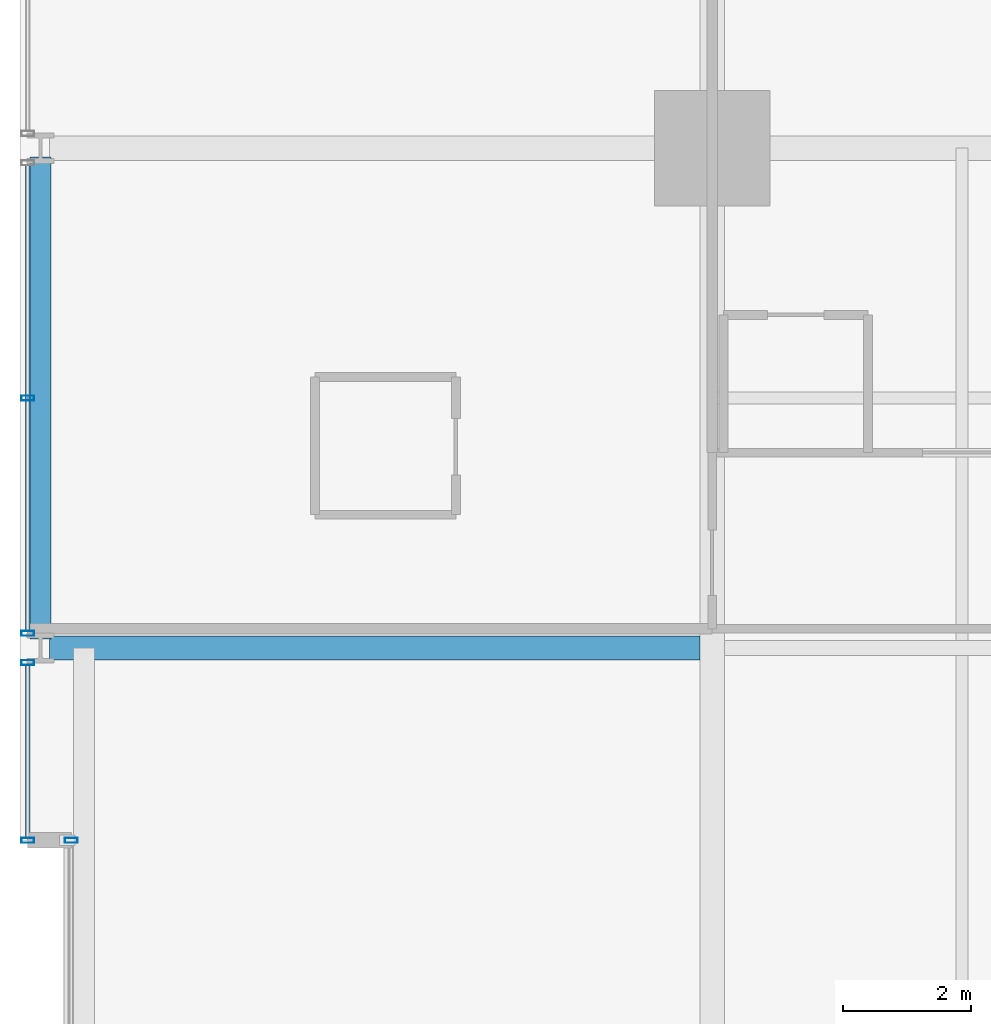
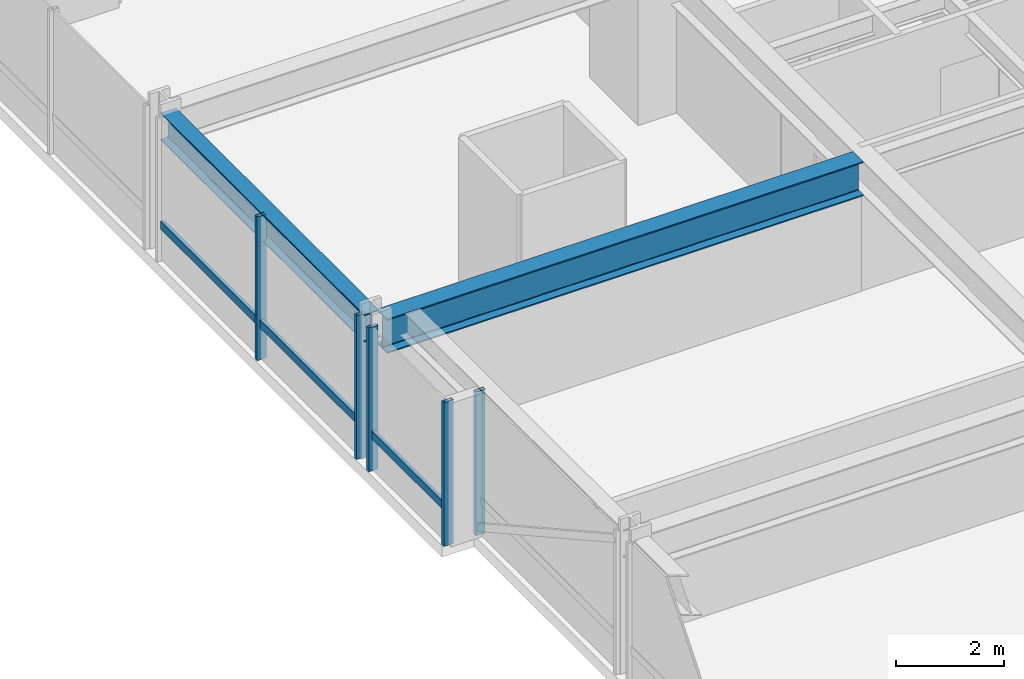
# One storey, part 17 of 38: 7 members, 2 beams, 3 elements without a shape of their own.
"""IFC4 building model written with IfcOpenShell, lengths in metres."""

from ifc_helpers import new_model, si_unit, direction, frame, origin, origin_2d, place, context, subcontext, project, spatial, hollow_rectangle, i_section, extrude, material, layer, layer_set, material_profile, profile_set, type_object, element, aggregate, save


model = new_model("IFC4")

# Units and contexts
model_context = context("Model", 3, precision=1e-05, world=origin(), true_north=direction((0.0, 1.0)))
body_context = subcontext(model_context, "Body", "Model", "MODEL_VIEW")
ifc_project = project(units=[si_unit("LENGTHUNIT", "METRE"), si_unit("AREAUNIT", "SQUARE_METRE"), si_unit("VOLUMEUNIT", "CUBIC_METRE"), si_unit("PLANEANGLEUNIT", "RADIAN"), si_unit("MASSUNIT", "GRAM", prefix="KILO")], contexts=[model_context])

# Site, building, storey
site_placement = place(None, origin())
site = spatial("IfcSite", under=ifc_project, at=site_placement, CompositionType="ELEMENT")
building_placement = place(site_placement, origin())
building = spatial("IfcBuilding", under=site, at=building_placement, Name="Drelvath Grand Hotel", CompositionType="ELEMENT")
storey_placement = place(building_placement, frame((0.0, 0.0, 64.699951171875)))
storey = spatial("IfcBuildingStorey", under=building, at=storey_placement, Name="L15", CompositionType="ELEMENT", Elevation=64.699951171875)

# Curtain wall, member
ifc_material_1 = material(Name="Warm Bronze Anodised Aluminium Frame", Category="aluminium")
ifc_layer = layer(ifc_material_1, 0.199951171875)
ifc_layer_set = layer_set([ifc_layer], Name="Warm Bronze Anodised Aluminium Frame")
curtain_wall_type = type_object("IfcCurtainWallType", Name="Stick Curtain Wall CW-02 Warm Bronze Low-Rise", PredefinedType="NOTDEFINED", material=ifc_layer_set)
curtain_wall_1_placement = place(storey_placement, origin())
curtain_wall_1 = element("IfcCurtainWall", 1, at=curtain_wall_1_placement, inside=storey, type_object=curtain_wall_type, Name="L15 CW-02 Curtain Wall CW02-L15-WN1", PredefinedType="NOTDEFINED")
ifc_material_profile_1 = material_profile(ifc_material_1, hollow_rectangle(XDim=0.074951171875, YDim=0.179931640625, WallThickness=0.0048828125, at=origin_2d()), Name="HSS180X75X5")
ifc_profile_set_1 = profile_set([ifc_material_profile_1], Name="Warm Bronze Anodised Aluminium Frame")
member_type_1 = type_object("IfcMemberType", Name="Curtain Wall Horizontal Transom CW-02 HSS180X75X5", PredefinedType="USERDEFINED", material=ifc_profile_set_1)
member_1_placement = place(storey_placement, frame((-26.8798828125, 32.43994140625, 0.81005859375), z_axis=(0.0, 1.0, 0.0), x_axis=(-1.0, 0.0, 0.0)))
member_1 = element("IfcMember", 2, at=member_1_placement, type_object=member_type_1, Name="CW02-L15-WN1 Sill Transom", ObjectType="TRANSOM", PredefinedType="USERDEFINED", context=body_context, shape_type="SweptSolid", body=[
    extrude(hollow_rectangle(XDim=0.074951171875, YDim=0.179931640625, WallThickness=0.0048828125, at=origin_2d()), origin(), (0.0, 0.0, 1.0), 2.69091796875),
])

curtain_wall_2_placement = place(storey_placement, origin())
curtain_wall_2 = element("IfcCurtainWall", 3, at=curtain_wall_2_placement, inside=storey, type_object=curtain_wall_type, Name="L15 CW-02 Curtain Wall CW02-L15-WN2", PredefinedType="NOTDEFINED")
member_2_placement = place(storey_placement, frame((-26.8798828125, 35.669189453125, 0.81005859375), z_axis=(0.0, 1.0, 0.0), x_axis=(-1.0, 0.0, 0.0)))
member_2 = element("IfcMember", 4, at=member_2_placement, type_object=member_type_1, Name="CW02-L15-WN2 Sill Transom", ObjectType="TRANSOM", PredefinedType="USERDEFINED", context=body_context, shape_type="SweptSolid", body=[
    extrude(hollow_rectangle(XDim=0.074951171875, YDim=0.179931640625, WallThickness=0.0048828125, at=origin_2d()), origin(), (0.0, 0.0, 1.0), 7.26171875),
])

curtain_wall_3_placement = place(storey_placement, origin())
curtain_wall_3 = element("IfcCurtainWall", 5, at=curtain_wall_3_placement, inside=storey, type_object=curtain_wall_type, Name="L15 CW-02 Curtain Wall CW02-L15-WM2", PredefinedType="NOTDEFINED")
ifc_material_profile_2 = material_profile(ifc_material_1, hollow_rectangle(XDim=0.080078125, YDim=0.199951171875, WallThickness=0.0048828125, at=origin_2d()), Name="HSS200X80X5")
ifc_profile_set_2 = profile_set([ifc_material_profile_2], Name="Warm Bronze Anodised Aluminium Frame")
member_type_2 = type_object("IfcMemberType", Name="Curtain Wall Vertical Mullion CW-02 HSS200X80X5", PredefinedType="MULLION", material=ifc_profile_set_2)
member_3_placement = place(storey_placement, frame((-26.199951171875, 32.39990234375, 0.0), z_axis=(0.0, 0.0, 1.0), x_axis=(0.0, 1.0, 0.0)))
member_3 = element("IfcMember", 6, at=member_3_placement, type_object=member_type_2, Name="CW02-L15-WM2 Mullion 2", PredefinedType="MULLION", context=body_context, shape_type="SweptSolid", body=[
    extrude(hollow_rectangle(XDim=0.080078125, YDim=0.199951171875, WallThickness=0.0048828125, at=origin_2d()), origin(), (0.0, 0.0, 1.0), 3.239990234375),
])
aggregate(curtain_wall_3, [member_3])

# Member
member_4_placement = place(storey_placement, frame((-26.8798828125, 32.39990234375, 0.0), z_axis=(0.0, 0.0, 1.0), x_axis=(0.0, 1.0, 0.0)))
member_4 = element("IfcMember", 7, at=member_4_placement, type_object=member_type_2, Name="CW02-L15-WN1 Mullion 1", PredefinedType="MULLION", context=body_context, shape_type="SweptSolid", body=[
    extrude(hollow_rectangle(XDim=0.080078125, YDim=0.199951171875, WallThickness=0.0048828125, at=origin_2d()), origin(), (0.0, 0.0, 1.0), 3.239990234375),
])

member_5_placement = place(storey_placement, frame((-26.8798828125, 35.1708984375, 0.0), z_axis=(0.0, 0.0, 1.0), x_axis=(0.0, 1.0, 0.0)))
member_5 = element("IfcMember", 8, at=member_5_placement, type_object=member_type_2, Name="CW02-L15-WN1 Mullion 2", PredefinedType="MULLION", context=body_context, shape_type="SweptSolid", body=[
    extrude(hollow_rectangle(XDim=0.080078125, YDim=0.199951171875, WallThickness=0.0048828125, at=origin_2d()), origin(), (0.0, 0.0, 1.0), 3.239990234375),
])

aggregate(curtain_wall_1, [member_4, member_5, member_1])

member_6_placement = place(storey_placement, frame((-26.8798828125, 35.629150390625, 0.0), z_axis=(0.0, 0.0, 1.0), x_axis=(0.0, 1.0, 0.0)))
member_6 = element("IfcMember", 9, at=member_6_placement, type_object=member_type_2, Name="CW02-L15-WN2 Mullion 1", PredefinedType="MULLION", context=body_context, shape_type="SweptSolid", body=[
    extrude(hollow_rectangle(XDim=0.080078125, YDim=0.199951171875, WallThickness=0.0048828125, at=origin_2d()), origin(), (0.0, 0.0, 1.0), 3.239990234375),
])

member_7_placement = place(storey_placement, frame((-26.8798828125, 39.300048828125, 0.0), z_axis=(0.0, 0.0, 1.0), x_axis=(0.0, 1.0, 0.0)))
member_7 = element("IfcMember", 10, at=member_7_placement, type_object=member_type_2, Name="CW02-L15-WN2 Mullion 2", PredefinedType="MULLION", context=body_context, shape_type="SweptSolid", body=[
    extrude(hollow_rectangle(XDim=0.080078125, YDim=0.199951171875, WallThickness=0.0048828125, at=origin_2d()), origin(), (0.0, 0.0, 1.0), 3.239990234375),
])

aggregate(curtain_wall_2, [member_6, member_7, member_2])

# Beams
ifc_material_2 = material(Name="Steel ASTM A992 Gr 50", Category="steel")
ifc_material_profile_3 = material_profile(ifc_material_2, i_section(OverallWidth=0.323974609375, OverallDepth=0.611083984375, WebThickness=0.0126953125, FlangeThickness=0.01904296875, FilletRadius=0.02197265625, at=origin_2d()), Name="W24X104")
ifc_profile_set_3 = profile_set([ifc_material_profile_3], Name="Steel ASTM A992 Gr 50")
beam_type_1 = type_object("IfcBeamType", Name="Perimeter Spandrel Beam W24X104", PredefinedType="SPANDREL", material=ifc_profile_set_3)
beam_1_placement = place(storey_placement, frame((-26.679931640625, 35.5400390625, 2.9345703125), z_axis=(0.0, 1.0, 0.0), x_axis=(-1.0, 0.0, 0.0)))
element("IfcBeam", 11, at=beam_1_placement, inside=storey, type_object=beam_type_1, Name="L15 Spandrel West N", PredefinedType="SPANDREL", context=body_context, shape_type="SweptSolid", body=[
    extrude(i_section(OverallWidth=0.323974609375, OverallDepth=0.611083984375, WebThickness=0.0126953125, FlangeThickness=0.01904296875, FilletRadius=0.02197265625, at=origin_2d()), origin(), (0.0, 0.0, 1.0), 7.52001953125),
])
ifc_material_profile_4 = material_profile(ifc_material_2, i_section(OverallWidth=0.380615234375, OverallDepth=0.773193359375, WebThickness=0.0166015625, FlangeThickness=0.027099609375, FilletRadius=0.02490234375, at=origin_2d()), Name="W30X173")
ifc_profile_set_4 = profile_set([ifc_material_profile_4], Name="Steel ASTM A992 Gr 50")
beam_type_2 = type_object("IfcBeamType", Name="Primary Floor Girder W30X173", PredefinedType="BEAM", material=ifc_profile_set_4)
beam_2_placement = place(storey_placement, frame((-26.5400390625, 35.39990234375, 2.853515625), z_axis=(1.0, 0.0, 0.0), x_axis=(0.0, 1.0, 0.0)))
element("IfcBeam", 12, at=beam_2_placement, inside=storey, type_object=beam_type_2, Name="L15 West Wing Girder F", PredefinedType="BEAM", context=body_context, shape_type="SweptSolid", body=[
    extrude(i_section(OverallWidth=0.380615234375, OverallDepth=0.773193359375, WebThickness=0.0166015625, FlangeThickness=0.027099609375, FilletRadius=0.02490234375, at=origin_2d()), origin(), (0.0, 0.0, 1.0), 10.149658203125),
])

save(model, "model.ifc")
